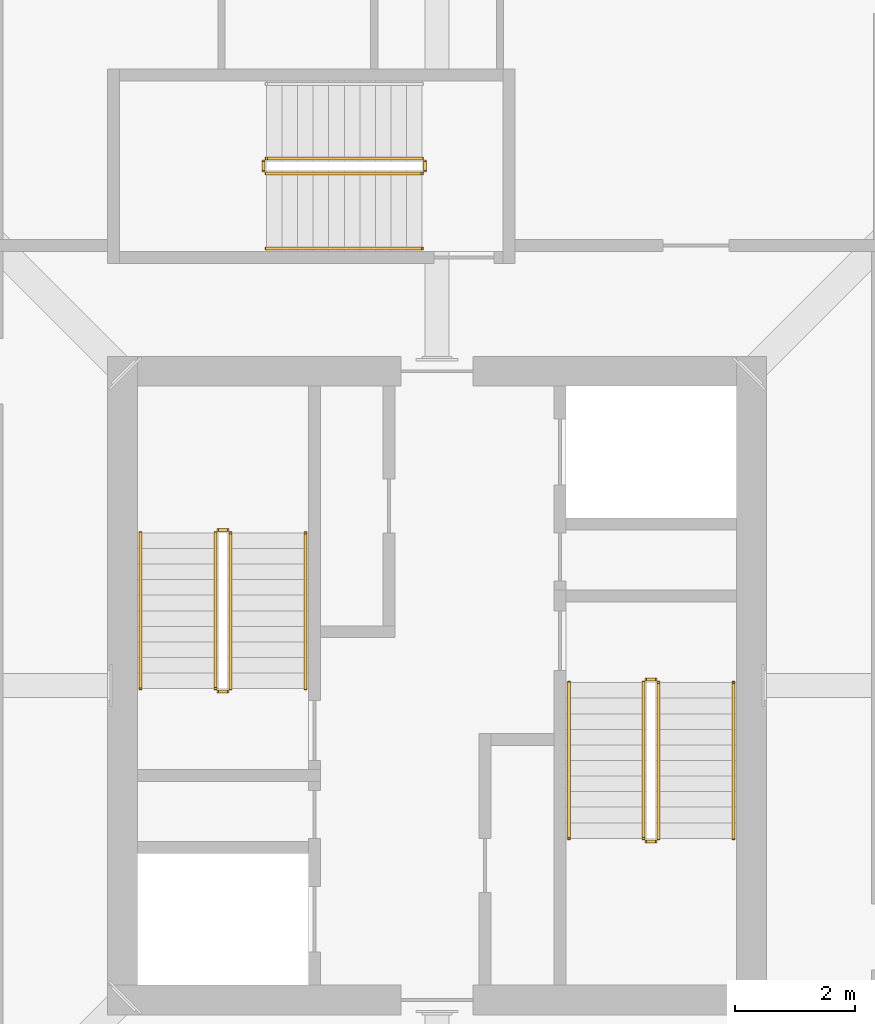
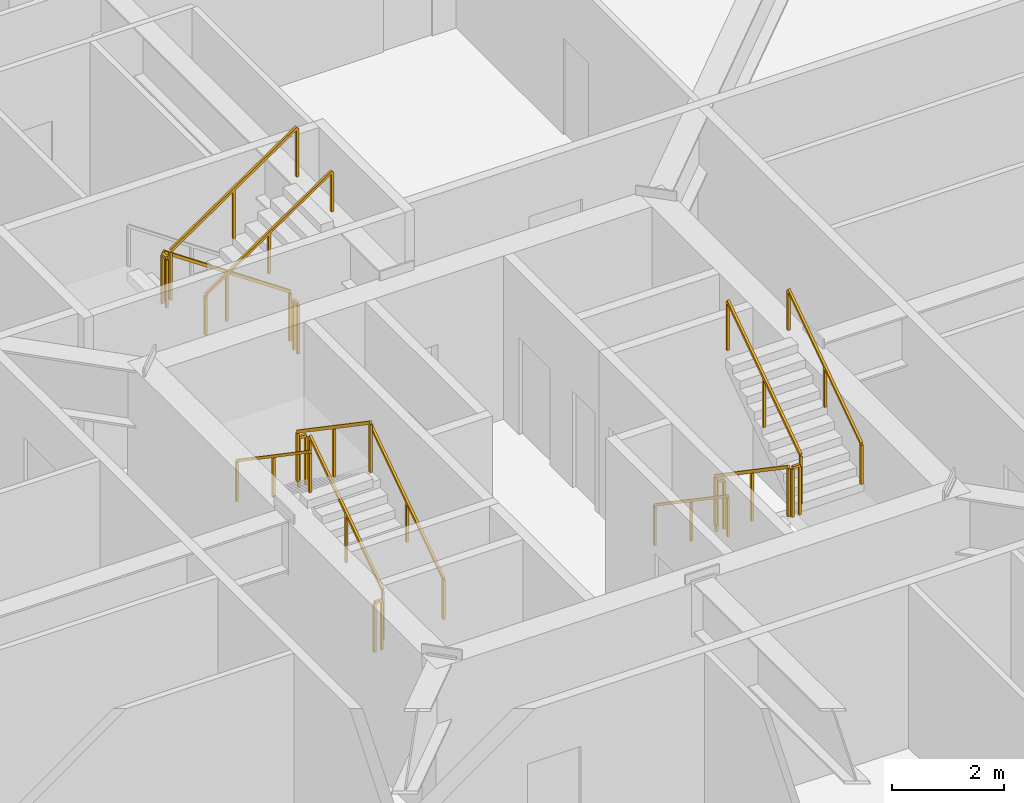
# One storey, part 11 of 12: 17 railings.
"""IFC4 building model written with IfcOpenShell, lengths in metres."""

from ifc_helpers import new_model, si_unit, direction, frame, origin, origin_2d, place, context, subcontext, project, spatial, rectangle, extrude, material, type_object, element, save


model = new_model("IFC4")

# Units and contexts
model_context = context("Model", 3, precision=1e-05, world=origin(), true_north=direction((0.0, 1.0)))
body_context = subcontext(model_context, "Body", "Model", "MODEL_VIEW")
ifc_project = project(units=[si_unit("LENGTHUNIT", "METRE"), si_unit("AREAUNIT", "SQUARE_METRE"), si_unit("VOLUMEUNIT", "CUBIC_METRE"), si_unit("PLANEANGLEUNIT", "RADIAN"), si_unit("MASSUNIT", "GRAM", prefix="KILO")], contexts=[model_context])

# Site, building, storey
site_placement = place(None, origin())
site = spatial("IfcSite", under=ifc_project, at=site_placement, CompositionType="ELEMENT")
building_placement = place(site_placement, origin())
building = spatial("IfcBuilding", under=site, at=building_placement, Name="Khepri Terraces", CompositionType="ELEMENT")
storey_placement = place(building_placement, frame((0.0, 0.0, 296.699951171875)))
storey = spatial("IfcBuildingStorey", under=building, at=storey_placement, Name="L71", CompositionType="ELEMENT", Elevation=296.699951171875)

# Railings
ifc_material = material(Name="Stainless steel 316", Category="steel")
railing_type_1 = type_object("IfcRailingType", Name="RL-CORE-GUARD", PredefinedType="GUARDRAIL", material=ifc_material)
railing_1_placement = place(storey_placement, frame((-3.449951171875, -0.050048828125, 0.17724609375)))
element("IfcRailing", 1, at=railing_1_placement, inside=storey, type_object=railing_type_1, Name="L71 ST-1 stair guard 1", PredefinedType="GUARDRAIL", context=body_context, shape_type="SweptSolid", body=[
    extrude(rectangle(XDim=0.050048828125, YDim=0.06005859375, at=origin_2d()), frame((0.0, 0.0, 1.070068359375), z_axis=(0.0, 0.826240473404, 0.563317565952), x_axis=(-1.0, 0.0, 0.0)), (0.0, 0.0, 1.0), 3.14697265625),
    extrude(rectangle(XDim=0.050048828125, YDim=0.050048828125, at=origin_2d()), origin(), (0.0, 0.0, 1.0), 1.0400390625),
    extrude(rectangle(XDim=0.050048828125, YDim=0.050048828125, at=origin_2d()), frame((0.0, 1.300048828125, 0.88623046875)), (0.0, 0.0, 1.0), 1.0400390625),
    extrude(rectangle(XDim=0.050048828125, YDim=0.050048828125, at=origin_2d()), frame((0.0, 2.60009765625, 1.772705078125)), (0.0, 0.0, 1.0), 1.0400390625),
])
railing_2_placement = place(storey_placement, frame((-3.5, 2.60009765625, 1.949951171875)))
element("IfcRailing", 2, at=railing_2_placement, inside=storey, type_object=railing_type_1, Name="L71 ST-1 stair guard 2", PredefinedType="GUARDRAIL", context=body_context, shape_type="SweptSolid", body=[
    extrude(rectangle(XDim=0.050048828125, YDim=0.06005859375, at=origin_2d()), frame((0.0, 0.0, 1.070068359375), z_axis=(-1.0, 0.0, 0.0), x_axis=(0.0, -1.0, 0.0)), (0.0, 0.0, 1.0), 0.14990234375),
    extrude(rectangle(XDim=0.050048828125, YDim=0.050048828125, at=origin_2d()), origin(), (0.0, 0.0, 1.0), 1.0400390625),
    extrude(rectangle(XDim=0.050048828125, YDim=0.050048828125, at=origin_2d()), frame((-0.14990234375, 0.0, 0.0)), (0.0, 0.0, 1.0), 1.0400390625),
])
railing_3_placement = place(storey_placement, frame((-3.699951171875, 2.550048828125, 2.12744140625)))
element("IfcRailing", 3, at=railing_3_placement, inside=storey, type_object=railing_type_1, Name="L71 ST-1 stair guard 3", PredefinedType="GUARDRAIL", context=body_context, shape_type="SweptSolid", body=[
    extrude(rectangle(XDim=0.050048828125, YDim=0.06005859375, at=origin_2d()), frame((0.0, 0.0, 1.070068359375), z_axis=(0.0, -0.826240473404, 0.563317565952), x_axis=(1.0, 0.0, 0.0)), (0.0, 0.0, 1.0), 3.14697265625),
    extrude(rectangle(XDim=0.050048828125, YDim=0.050048828125, at=origin_2d()), origin(), (0.0, 0.0, 1.0), 1.0400390625),
    extrude(rectangle(XDim=0.050048828125, YDim=0.050048828125, at=origin_2d()), frame((0.0, -1.300048828125, 0.88623046875)), (0.0, 0.0, 1.0), 1.0400390625),
    extrude(rectangle(XDim=0.050048828125, YDim=0.050048828125, at=origin_2d()), frame((0.0, -2.60009765625, 1.772705078125)), (0.0, 0.0, 1.0), 1.0400390625),
])
railing_4_placement = place(storey_placement, frame((-3.5, -0.10009765625, 0.0)))
element("IfcRailing", 4, at=railing_4_placement, inside=storey, type_object=railing_type_1, Name="L71 ST-1 stair guard 4", PredefinedType="GUARDRAIL", context=body_context, shape_type="SweptSolid", body=[
    extrude(rectangle(XDim=0.050048828125, YDim=0.06005859375, at=origin_2d()), frame((0.0, 0.0, 1.070068359375), z_axis=(-1.0, 0.0, 0.0), x_axis=(0.0, -1.0, 0.0)), (0.0, 0.0, 1.0), 0.14990234375),
    extrude(rectangle(XDim=0.050048828125, YDim=0.050048828125, at=origin_2d()), origin(), (0.0, 0.0, 1.0), 1.0400390625),
    extrude(rectangle(XDim=0.050048828125, YDim=0.050048828125, at=origin_2d()), frame((-0.14990234375, 0.0, 0.0)), (0.0, 0.0, 1.0), 1.0400390625),
])
railing_5_placement = place(storey_placement, frame((3.449951171875, 0.050048828125, 0.17724609375)))
element("IfcRailing", 5, at=railing_5_placement, inside=storey, type_object=railing_type_1, Name="L71 ST-2 stair guard 1", PredefinedType="GUARDRAIL", context=body_context, shape_type="SweptSolid", body=[
    extrude(rectangle(XDim=0.050048828125, YDim=0.06005859375, at=origin_2d()), frame((0.0, 0.0, 1.070068359375), z_axis=(0.0, -0.826240473404, 0.563317565952), x_axis=(1.0, 0.0, 0.0)), (0.0, 0.0, 1.0), 3.14697265625),
    extrude(rectangle(XDim=0.050048828125, YDim=0.050048828125, at=origin_2d()), origin(), (0.0, 0.0, 1.0), 1.0400390625),
    extrude(rectangle(XDim=0.050048828125, YDim=0.050048828125, at=origin_2d()), frame((0.0, -1.300048828125, 0.88623046875)), (0.0, 0.0, 1.0), 1.0400390625),
    extrude(rectangle(XDim=0.050048828125, YDim=0.050048828125, at=origin_2d()), frame((0.0, -2.60009765625, 1.772705078125)), (0.0, 0.0, 1.0), 1.0400390625),
])
railing_6_placement = place(storey_placement, frame((3.5, -2.60009765625, 1.949951171875)))
element("IfcRailing", 6, at=railing_6_placement, inside=storey, type_object=railing_type_1, Name="L71 ST-2 stair guard 2", PredefinedType="GUARDRAIL", context=body_context, shape_type="SweptSolid", body=[
    extrude(rectangle(XDim=0.050048828125, YDim=0.06005859375, at=origin_2d()), frame((0.0, 0.0, 1.070068359375), z_axis=(1.0, 0.0, 0.0), x_axis=(0.0, 1.0, 0.0)), (0.0, 0.0, 1.0), 0.14990234375),
    extrude(rectangle(XDim=0.050048828125, YDim=0.050048828125, at=origin_2d()), origin(), (0.0, 0.0, 1.0), 1.0400390625),
    extrude(rectangle(XDim=0.050048828125, YDim=0.050048828125, at=origin_2d()), frame((0.14990234375, 0.0, 0.0)), (0.0, 0.0, 1.0), 1.0400390625),
])
railing_7_placement = place(storey_placement, frame((3.699951171875, -2.550048828125, 2.12744140625)))
element("IfcRailing", 7, at=railing_7_placement, inside=storey, type_object=railing_type_1, Name="L71 ST-2 stair guard 3", PredefinedType="GUARDRAIL", context=body_context, shape_type="SweptSolid", body=[
    extrude(rectangle(XDim=0.050048828125, YDim=0.06005859375, at=origin_2d()), frame((0.0, 0.0, 1.070068359375), z_axis=(0.0, 0.826240473404, 0.563317565952), x_axis=(-1.0, 0.0, 0.0)), (0.0, 0.0, 1.0), 3.14697265625),
    extrude(rectangle(XDim=0.050048828125, YDim=0.050048828125, at=origin_2d()), origin(), (0.0, 0.0, 1.0), 1.0400390625),
    extrude(rectangle(XDim=0.050048828125, YDim=0.050048828125, at=origin_2d()), frame((0.0, 1.300048828125, 0.88623046875)), (0.0, 0.0, 1.0), 1.0400390625),
    extrude(rectangle(XDim=0.050048828125, YDim=0.050048828125, at=origin_2d()), frame((0.0, 2.60009765625, 1.772705078125)), (0.0, 0.0, 1.0), 1.0400390625),
])
railing_8_placement = place(storey_placement, frame((3.5, 0.10009765625, 0.0)))
element("IfcRailing", 8, at=railing_8_placement, inside=storey, type_object=railing_type_1, Name="L71 ST-2 stair guard 4", PredefinedType="GUARDRAIL", context=body_context, shape_type="SweptSolid", body=[
    extrude(rectangle(XDim=0.050048828125, YDim=0.06005859375, at=origin_2d()), frame((0.0, 0.0, 1.070068359375), z_axis=(1.0, 0.0, 0.0), x_axis=(0.0, 1.0, 0.0)), (0.0, 0.0, 1.0), 0.14990234375),
    extrude(rectangle(XDim=0.050048828125, YDim=0.050048828125, at=origin_2d()), origin(), (0.0, 0.0, 1.0), 1.0400390625),
    extrude(rectangle(XDim=0.050048828125, YDim=0.050048828125, at=origin_2d()), frame((0.14990234375, 0.0, 0.0)), (0.0, 0.0, 1.0), 1.0400390625),
])
railing_9_placement = place(storey_placement, frame((-0.25, 8.800048828125, 0.17724609375)))
element("IfcRailing", 9, at=railing_9_placement, inside=storey, type_object=railing_type_1, Name="L71 ST-3 stair guard 1", PredefinedType="GUARDRAIL", context=body_context, shape_type="SweptSolid", body=[
    extrude(rectangle(XDim=0.050048828125, YDim=0.06005859375, at=origin_2d()), frame((0.0, 0.0, 1.070068359375), z_axis=(-0.826240473404, 0.0, 0.563317565952), x_axis=(0.0, -1.0, 0.0)), (0.0, 0.0, 1.0), 3.14697265625),
    extrude(rectangle(XDim=0.050048828125, YDim=0.050048828125, at=origin_2d()), origin(), (0.0, 0.0, 1.0), 1.0400390625),
    extrude(rectangle(XDim=0.050048828125, YDim=0.050048828125, at=origin_2d()), frame((-1.300048828125, 0.0, 0.88623046875)), (0.0, 0.0, 1.0), 1.0400390625),
    extrude(rectangle(XDim=0.050048828125, YDim=0.050048828125, at=origin_2d()), frame((-2.60009765625, 0.0, 1.772705078125)), (0.0, 0.0, 1.0), 1.0400390625),
])
railing_10_placement = place(storey_placement, frame((-2.89990234375, 8.75, 1.949951171875)))
element("IfcRailing", 10, at=railing_10_placement, inside=storey, type_object=railing_type_1, Name="L71 ST-3 stair guard 2", PredefinedType="GUARDRAIL", context=body_context, shape_type="SweptSolid", body=[
    extrude(rectangle(XDim=0.050048828125, YDim=0.06005859375, at=origin_2d()), frame((0.0, 0.0, 1.070068359375), z_axis=(0.0, -1.0, 0.0), x_axis=(1.0, 0.0, 0.0)), (0.0, 0.0, 1.0), 0.14990234375),
    extrude(rectangle(XDim=0.050048828125, YDim=0.050048828125, at=origin_2d()), origin(), (0.0, 0.0, 1.0), 1.0400390625),
    extrude(rectangle(XDim=0.050048828125, YDim=0.050048828125, at=origin_2d()), frame((0.0, -0.14990234375, 0.0)), (0.0, 0.0, 1.0), 1.0400390625),
])
railing_11_placement = place(storey_placement, frame((-2.85009765625, 8.550048828125, 2.12744140625)))
element("IfcRailing", 11, at=railing_11_placement, inside=storey, type_object=railing_type_1, Name="L71 ST-3 stair guard 3", PredefinedType="GUARDRAIL", context=body_context, shape_type="SweptSolid", body=[
    extrude(rectangle(XDim=0.050048828125, YDim=0.06005859375, at=origin_2d()), frame((0.0, 0.0, 1.070068359375), z_axis=(0.826240473404, 0.0, 0.563317565952), x_axis=(0.0, 1.0, 0.0)), (0.0, 0.0, 1.0), 3.14697265625),
    extrude(rectangle(XDim=0.050048828125, YDim=0.050048828125, at=origin_2d()), origin(), (0.0, 0.0, 1.0), 1.0400390625),
    extrude(rectangle(XDim=0.050048828125, YDim=0.050048828125, at=origin_2d()), frame((1.300048828125, 0.0, 0.88623046875)), (0.0, 0.0, 1.0), 1.0400390625),
    extrude(rectangle(XDim=0.050048828125, YDim=0.050048828125, at=origin_2d()), frame((2.60009765625, 0.0, 1.772705078125)), (0.0, 0.0, 1.0), 1.0400390625),
])
railing_12_placement = place(storey_placement, frame((-0.199951171875, 8.75, 0.0)))
element("IfcRailing", 12, at=railing_12_placement, inside=storey, type_object=railing_type_1, Name="L71 ST-3 stair guard 4", PredefinedType="GUARDRAIL", context=body_context, shape_type="SweptSolid", body=[
    extrude(rectangle(XDim=0.050048828125, YDim=0.06005859375, at=origin_2d()), frame((0.0, 0.0, 1.070068359375), z_axis=(0.0, -1.0, 0.0), x_axis=(1.0, 0.0, 0.0)), (0.0, 0.0, 1.0), 0.14990234375),
    extrude(rectangle(XDim=0.050048828125, YDim=0.050048828125, at=origin_2d()), origin(), (0.0, 0.0, 1.0), 1.0400390625),
    extrude(rectangle(XDim=0.050048828125, YDim=0.050048828125, at=origin_2d()), frame((0.0, -0.14990234375, 0.0)), (0.0, 0.0, 1.0), 1.0400390625),
])
railing_type_2 = type_object("IfcRailingType", Name="RL-CORE-HANDRAIL", PredefinedType="HANDRAIL", material=ifc_material)
railing_13_placement = place(storey_placement, frame((-2.199951171875, -0.050048828125, 0.17724609375)))
element("IfcRailing", 13, at=railing_13_placement, inside=storey, type_object=railing_type_2, Name="L71 ST-1 stair handrail 1", PredefinedType="HANDRAIL", context=body_context, shape_type="SweptSolid", body=[
    extrude(rectangle(XDim=0.050048828125, YDim=0.050048828125, at=origin_2d()), frame((0.0, 0.0, 0.875), z_axis=(0.0, 0.826240473404, 0.563317565952), x_axis=(-1.0, 0.0, 0.0)), (0.0, 0.0, 1.0), 3.14697265625),
    extrude(rectangle(XDim=0.050048828125, YDim=0.050048828125, at=origin_2d()), origin(), (0.0, 0.0, 1.0), 0.849853515625),
    extrude(rectangle(XDim=0.050048828125, YDim=0.050048828125, at=origin_2d()), frame((0.0, 1.300048828125, 0.88623046875)), (0.0, 0.0, 1.0), 0.849853515625),
    extrude(rectangle(XDim=0.050048828125, YDim=0.050048828125, at=origin_2d()), frame((0.0, 2.60009765625, 1.772705078125)), (0.0, 0.0, 1.0), 0.849853515625),
])
for number, where, name in (
    (14, (-4.949951171875, 2.550048828125, 2.12744140625), "L71 ST-1 stair handrail 2"),
    (15, (2.199951171875, 0.050048828125, 0.17724609375), "L71 ST-2 stair handrail 1"),
):
    element("IfcRailing", number, at=place(storey_placement, frame(where)), inside=storey, type_object=railing_type_2, Name=name, PredefinedType="HANDRAIL", context=body_context, shape_type="SweptSolid", body=[
        extrude(rectangle(XDim=0.050048828125, YDim=0.050048828125, at=origin_2d()), frame((0.0, 0.0, 0.875), z_axis=(0.0, -0.826240473404, 0.563317565952), x_axis=(1.0, 0.0, 0.0)), (0.0, 0.0, 1.0), 3.14697265625),
        extrude(rectangle(XDim=0.050048828125, YDim=0.050048828125, at=origin_2d()), origin(), (0.0, 0.0, 1.0), 0.849853515625),
        extrude(rectangle(XDim=0.050048828125, YDim=0.050048828125, at=origin_2d()), frame((0.0, -1.300048828125, 0.88623046875)), (0.0, 0.0, 1.0), 0.849853515625),
        extrude(rectangle(XDim=0.050048828125, YDim=0.050048828125, at=origin_2d()), frame((0.0, -2.60009765625, 1.772705078125)), (0.0, 0.0, 1.0), 0.849853515625),
    ])
railing_14_placement = place(storey_placement, frame((4.949951171875, -2.550048828125, 2.12744140625)))
element("IfcRailing", 16, at=railing_14_placement, inside=storey, type_object=railing_type_2, Name="L71 ST-2 stair handrail 2", PredefinedType="HANDRAIL", context=body_context, shape_type="SweptSolid", body=[
    extrude(rectangle(XDim=0.050048828125, YDim=0.050048828125, at=origin_2d()), frame((0.0, 0.0, 0.875), z_axis=(0.0, 0.826240473404, 0.563317565952), x_axis=(-1.0, 0.0, 0.0)), (0.0, 0.0, 1.0), 3.14697265625),
    extrude(rectangle(XDim=0.050048828125, YDim=0.050048828125, at=origin_2d()), origin(), (0.0, 0.0, 1.0), 0.849853515625),
    extrude(rectangle(XDim=0.050048828125, YDim=0.050048828125, at=origin_2d()), frame((0.0, 1.300048828125, 0.88623046875)), (0.0, 0.0, 1.0), 0.849853515625),
    extrude(rectangle(XDim=0.050048828125, YDim=0.050048828125, at=origin_2d()), frame((0.0, 2.60009765625, 1.772705078125)), (0.0, 0.0, 1.0), 0.849853515625),
])
railing_15_placement = place(storey_placement, frame((-2.85009765625, 7.300048828125, 2.12744140625)))
element("IfcRailing", 17, at=railing_15_placement, inside=storey, type_object=railing_type_2, Name="L71 ST-3 stair handrail 2", PredefinedType="HANDRAIL", context=body_context, shape_type="SweptSolid", body=[
    extrude(rectangle(XDim=0.050048828125, YDim=0.050048828125, at=origin_2d()), frame((0.0, 0.0, 0.875), z_axis=(0.826240473404, 0.0, 0.563317565952), x_axis=(0.0, 1.0, 0.0)), (0.0, 0.0, 1.0), 3.14697265625),
    extrude(rectangle(XDim=0.050048828125, YDim=0.050048828125, at=origin_2d()), origin(), (0.0, 0.0, 1.0), 0.849853515625),
    extrude(rectangle(XDim=0.050048828125, YDim=0.050048828125, at=origin_2d()), frame((1.300048828125, 0.0, 0.88623046875)), (0.0, 0.0, 1.0), 0.849853515625),
    extrude(rectangle(XDim=0.050048828125, YDim=0.050048828125, at=origin_2d()), frame((2.60009765625, 0.0, 1.772705078125)), (0.0, 0.0, 1.0), 0.849853515625),
])

save(model, "model.ifc")
